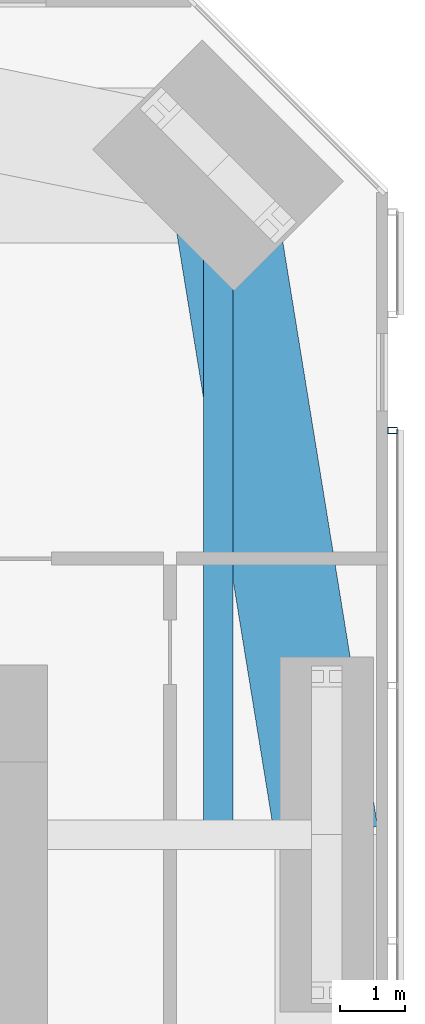
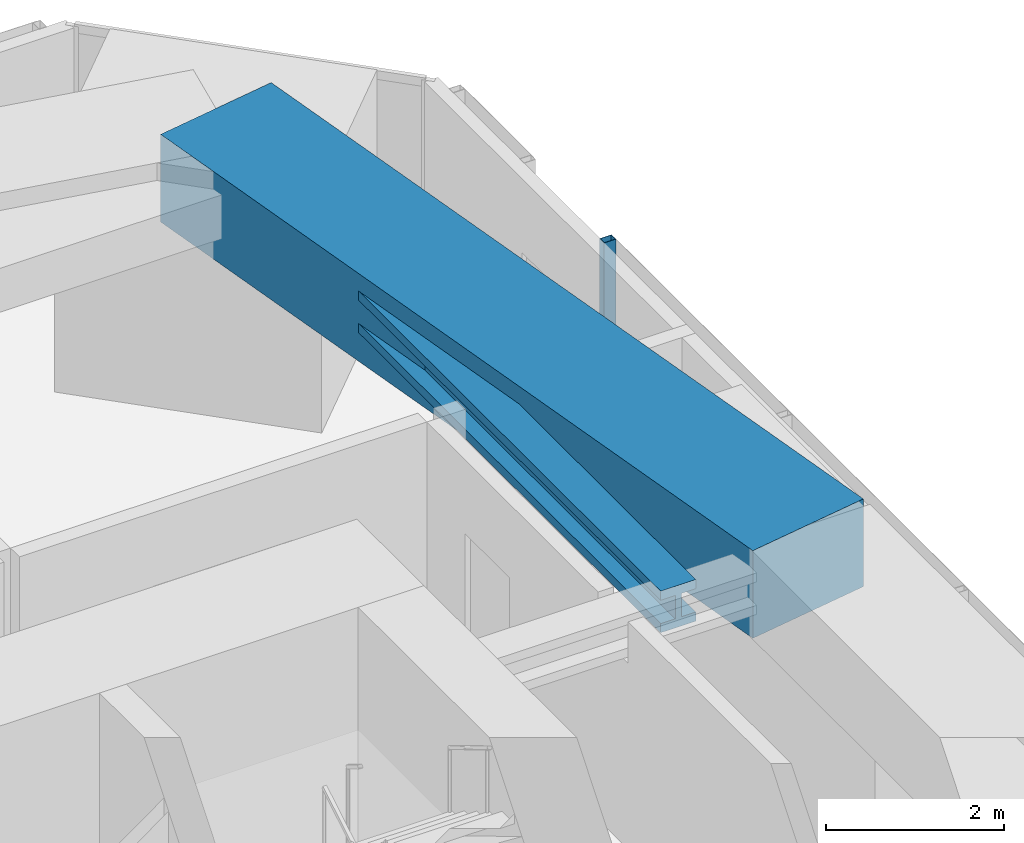
# One storey, part 10 of 23: 2 beams, 1 member, 1 element without a shape of its own.
"""IFC4 building model written with IfcOpenShell, lengths in metres."""

from ifc_helpers import new_model, si_unit, direction, frame, origin, origin_2d, place, context, subcontext, project, spatial, rectangle, hollow_rectangle, i_section, extrude, material, material_profile, profile_set, type_object, element, aggregate, save


model = new_model("IFC4")

# Units and contexts
model_context = context("Model", 3, precision=1e-05, world=origin(), true_north=direction((0.0, 1.0)))
body_context = subcontext(model_context, "Body", "Model", "MODEL_VIEW")
ifc_project = project(units=[si_unit("LENGTHUNIT", "METRE"), si_unit("AREAUNIT", "SQUARE_METRE"), si_unit("VOLUMEUNIT", "CUBIC_METRE"), si_unit("PLANEANGLEUNIT", "RADIAN"), si_unit("MASSUNIT", "GRAM", prefix="KILO")], contexts=[model_context])

# Site, building, storey
site_placement = place(None, origin())
site = spatial("IfcSite", under=ifc_project, at=site_placement, CompositionType="ELEMENT")
building_placement = place(site_placement, origin())
building = spatial("IfcBuilding", under=site, at=building_placement, Name="Jalousie Tower", CompositionType="ELEMENT")
storey_placement = place(building_placement, frame((0.0, 0.0, 104.85009765625)))
storey = spatial("IfcBuildingStorey", under=building, at=storey_placement, Name="L28", CompositionType="ELEMENT", Elevation=104.85009765625)

# Beams
ifc_material_1 = material(Name="Steel ASTM A992 Grade 50", Category="steel")
ifc_material_profile_1 = material_profile(ifc_material_1, i_section(OverallWidth=0.45458984375, OverallDepth=0.569091796875, WebThickness=0.077880859375, FlangeThickness=0.124755859375, at=origin_2d()), Name="W14X730")
ifc_profile_set_1 = profile_set([ifc_material_profile_1], Name="Steel ASTM A992 Grade 50")
beam_type_1 = type_object("IfcBeamType", Name="LEAN COLLECTOR W14X730", PredefinedType="BEAM", material=ifc_profile_set_1)
beam_1_placement = place(storey_placement, frame((46.86865234375, 35.36865234375, 2.825439453125), z_axis=(0.0, -1.0, 0.0), x_axis=(1.0, 0.0, 0.0)))
element("IfcBeam", 1, at=beam_1_placement, inside=storey, type_object=beam_type_1, Name="Lean collector under L29", PredefinedType="BEAM", context=body_context, shape_type="SweptSolid", body=[
    extrude(i_section(OverallWidth=0.45458984375, OverallDepth=0.569091796875, WebThickness=0.077880859375, FlangeThickness=0.124755859375, at=origin_2d()), origin(), (0.0, 0.0, 1.0), 10.36865234375),
])
ifc_material_2 = material(Name="Concrete f'c 40 MPa", Category="concrete")
ifc_material_profile_2 = material_profile(ifc_material_2, rectangle(XDim=1.60009765625, YDim=1.199951171875, at=origin_2d()), Name="RC 1600x1200")
ifc_profile_set_2 = profile_set([ifc_material_profile_2], Name="Concrete f'c 40 MPa")
beam_type_2 = type_object("IfcBeamType", Name="RC BEAM 1600x1200", PredefinedType="BEAM", material=ifc_profile_set_2)
beam_2_placement = place(storey_placement, frame((48.550048828125, 25.0, 2.75), z_axis=(-0.160070546476, 0.987105577003, 0.0), x_axis=(-0.987105577003, -0.160070546476, 0.0)))
element("IfcBeam", 2, at=beam_2_placement, inside=storey, type_object=beam_type_2, Name="Edge band beam 07-08 under L29", PredefinedType="BEAM", context=body_context, shape_type="SweptSolid", body=[
    extrude(rectangle(XDim=1.60009765625, YDim=1.199951171875, at=origin_2d()), origin(), (0.0, 0.0, 1.0), 10.504150390625),
])

# Curtain wall, member
ifc_material_3 = material(Name="Perforated aluminium sheet", Category="aluminium")
curtain_wall_type = type_object("IfcCurtainWallType", Name="SOLAR SCREEN SS-1", PredefinedType="USERDEFINED", material=ifc_material_3)
curtain_wall_placement = place(storey_placement, origin())
curtain_wall = element("IfcCurtainWall", 3, at=curtain_wall_placement, inside=storey, type_object=curtain_wall_type, Name="Solar screen L28", ObjectType="SOLAR SCREEN SS-1", PredefinedType="USERDEFINED")
ifc_material_4 = material(Name="Steel ASTM A500 Grade C", Category="steel")
ifc_material_profile_3 = material_profile(ifc_material_4, hollow_rectangle(XDim=0.1015625, YDim=0.15234375, WallThickness=0.00634765625, at=origin_2d()), Name="HSS6X4X1/4")
ifc_profile_set_3 = profile_set([ifc_material_profile_3], Name="Steel ASTM A500 Grade C")
member_type = type_object("IfcMemberType", Name="SOLAR SCREEN SS-1 MULLION", PredefinedType="MULLION", material=ifc_profile_set_3)
member_placement = place(storey_placement, frame((49.5712890625, 31.261962890625, -0.1201171875), z_axis=(0.0, 0.0, 1.0), x_axis=(0.0, 1.0, 0.0)))
member = element("IfcMember", 4, at=member_placement, type_object=member_type, Name="SS1 post 4", PredefinedType="MULLION", context=body_context, shape_type="SweptSolid", body=[
    extrude(hollow_rectangle(XDim=0.1015625, YDim=0.15234375, WallThickness=0.00634765625, at=origin_2d()), origin(), (0.0, 0.0, 1.0), 3.22998046875),
])
aggregate(curtain_wall, [member])

save(model, "model.ifc")
